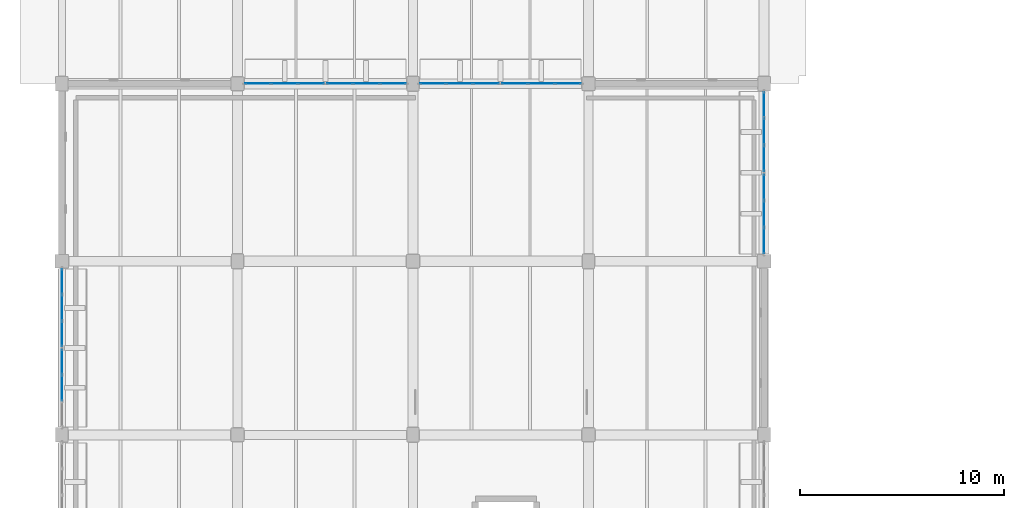
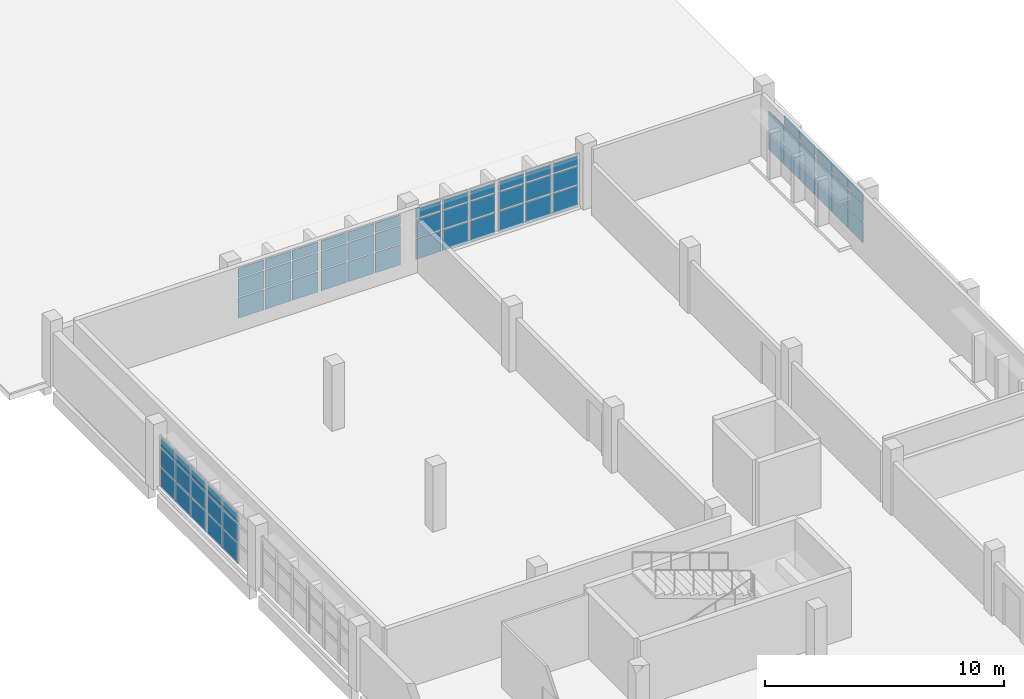
# One storey, part 70 of 93: 68 plates, 8 elements without a shape of their own.
"""IFC4 building model written with IfcOpenShell, lengths in metres."""

from ifc_helpers import new_model, si_unit, direction, frame, origin, origin_2d, place, context, subcontext, project, spatial, rectangle, extrude, material, layer, layer_set, type_object, element, aggregate, save


model = new_model("IFC4")

# Units and contexts
model_context = context("Model", 3, precision=1e-05, world=origin(), true_north=direction((0.0, 1.0)))
body_context = subcontext(model_context, "Body", "Model", "MODEL_VIEW")
ifc_project = project(units=[si_unit("LENGTHUNIT", "METRE"), si_unit("AREAUNIT", "SQUARE_METRE"), si_unit("VOLUMEUNIT", "CUBIC_METRE"), si_unit("PLANEANGLEUNIT", "RADIAN"), si_unit("MASSUNIT", "GRAM", prefix="KILO")], contexts=[model_context])

# Site, building, storey
site_placement = place(None, origin())
site = spatial("IfcSite", under=ifc_project, at=site_placement, CompositionType="ELEMENT")
building_placement = place(site_placement, origin())
building = spatial("IfcBuilding", under=site, at=building_placement, Name="Varnakota Cinema and Media Centre", CompositionType="ELEMENT")
storey_placement = place(building_placement, frame((0.0, 0.0, 12.0)))
storey = spatial("IfcBuildingStorey", under=building, at=storey_placement, Name="L03", CompositionType="ELEMENT", Elevation=12.0)

# Curtain wall, plates
ifc_material_1 = material(Name="Thermally broken anodised aluminium AW-6063", Category="aluminium")
curtain_wall_type_1 = type_object("IfcCurtainWallType", Name="CW-STD-399x264", PredefinedType="USERDEFINED", material=ifc_material_1)
curtain_wall_1_placement = place(storey_placement, origin())
curtain_wall_1 = element("IfcCurtainWall", 1, at=curtain_wall_1_placement, inside=storey, type_object=curtain_wall_type_1, Name="L03 curtain wall CW-L03-V5-E-05-1", ObjectType="UNITISED CURTAIN WALL", PredefinedType="USERDEFINED")
ifc_material_2 = material(Name="Laminated solar-control double glazing", Category="glass")
ifc_layer = layer(ifc_material_2, 0.028076171875)
ifc_layer_set = layer_set([ifc_layer], Name="Laminated solar-control double glazing")
plate_type = type_object("IfcPlateType", Name="CWP-DGU-28", PredefinedType="CURTAIN_PANEL", material=ifc_layer_set)
plate_1_placement = place(storey_placement, frame((34.39990234375, 70.506591796875, 0.06494140625), z_axis=(0.0, 0.0, 1.0), x_axis=(0.0, 1.0, 0.0)))
plate_1 = element("IfcPlate", 2, at=plate_1_placement, type_object=plate_type, Name="CW43 panel 1.1", PredefinedType="CURTAIN_PANEL", context=body_context, shape_type="SweptSolid", body=[
    extrude(rectangle(XDim=1.2333984375, YDim=0.028076171875, at=origin_2d()), origin(), (0.0, 0.0, 1.0), 1.00927734375),
])
plate_2_placement = place(storey_placement, frame((34.39990234375, 70.506591796875, 1.13916015625), z_axis=(0.0, 0.0, 1.0), x_axis=(0.0, 1.0, 0.0)))
plate_2 = element("IfcPlate", 3, at=plate_2_placement, type_object=plate_type, Name="CW43 panel 1.2", PredefinedType="CURTAIN_PANEL", context=body_context, shape_type="SweptSolid", body=[
    extrude(rectangle(XDim=1.2333984375, YDim=0.028076171875, at=origin_2d()), origin(), (0.0, 0.0, 1.0), 0.883544921875),
])
plate_3_placement = place(storey_placement, frame((34.39990234375, 70.506591796875, 2.087890625), z_axis=(0.0, 0.0, 1.0), x_axis=(0.0, 1.0, 0.0)))
plate_3 = element("IfcPlate", 4, at=plate_3_placement, type_object=plate_type, Name="CW43 panel 1.3", PredefinedType="CURTAIN_PANEL", context=body_context, shape_type="SweptSolid", body=[
    extrude(rectangle(XDim=1.2333984375, YDim=0.028076171875, at=origin_2d()), origin(), (0.0, 0.0, 1.0), 0.482177734375),
])
plate_4_placement = place(storey_placement, frame((34.39990234375, 71.8212890625, 0.06494140625), z_axis=(0.0, 0.0, 1.0), x_axis=(0.0, 1.0, 0.0)))
plate_4 = element("IfcPlate", 5, at=plate_4_placement, type_object=plate_type, Name="CW43 panel 2.1", PredefinedType="CURTAIN_PANEL", context=body_context, shape_type="SweptSolid", body=[
    extrude(rectangle(XDim=1.265869140625, YDim=0.028076171875, at=origin_2d()), origin(), (0.0, 0.0, 1.0), 1.00927734375),
])
plate_5_placement = place(storey_placement, frame((34.39990234375, 71.8212890625, 1.13916015625), z_axis=(0.0, 0.0, 1.0), x_axis=(0.0, 1.0, 0.0)))
plate_5 = element("IfcPlate", 6, at=plate_5_placement, type_object=plate_type, Name="CW43 panel 2.2", PredefinedType="CURTAIN_PANEL", context=body_context, shape_type="SweptSolid", body=[
    extrude(rectangle(XDim=1.265869140625, YDim=0.028076171875, at=origin_2d()), origin(), (0.0, 0.0, 1.0), 0.883544921875),
])
plate_6_placement = place(storey_placement, frame((34.39990234375, 71.8212890625, 2.087890625), z_axis=(0.0, 0.0, 1.0), x_axis=(0.0, 1.0, 0.0)))
plate_6 = element("IfcPlate", 7, at=plate_6_placement, type_object=plate_type, Name="CW43 panel 2.3", PredefinedType="CURTAIN_PANEL", context=body_context, shape_type="SweptSolid", body=[
    extrude(rectangle(XDim=1.265869140625, YDim=0.028076171875, at=origin_2d()), origin(), (0.0, 0.0, 1.0), 0.482177734375),
])
plate_7_placement = place(storey_placement, frame((34.39990234375, 73.1357421875, 0.06494140625), z_axis=(0.0, 0.0, 1.0), x_axis=(0.0, 1.0, 0.0)))
plate_7 = element("IfcPlate", 8, at=plate_7_placement, type_object=plate_type, Name="CW43 panel 3.1", PredefinedType="CURTAIN_PANEL", context=body_context, shape_type="SweptSolid", body=[
    extrude(rectangle(XDim=1.2333984375, YDim=0.028076171875, at=origin_2d()), origin(), (0.0, 0.0, 1.0), 1.00927734375),
])
plate_8_placement = place(storey_placement, frame((34.39990234375, 73.1357421875, 1.13916015625), z_axis=(0.0, 0.0, 1.0), x_axis=(0.0, 1.0, 0.0)))
plate_8 = element("IfcPlate", 9, at=plate_8_placement, type_object=plate_type, Name="CW43 panel 3.2", PredefinedType="CURTAIN_PANEL", context=body_context, shape_type="SweptSolid", body=[
    extrude(rectangle(XDim=1.2333984375, YDim=0.028076171875, at=origin_2d()), origin(), (0.0, 0.0, 1.0), 0.883544921875),
])
plate_9_placement = place(storey_placement, frame((34.39990234375, 73.1357421875, 2.087890625), z_axis=(0.0, 0.0, 1.0), x_axis=(0.0, 1.0, 0.0)))
plate_9 = element("IfcPlate", 10, at=plate_9_placement, type_object=plate_type, Name="CW43 panel 3.3", PredefinedType="CURTAIN_PANEL", context=body_context, shape_type="SweptSolid", body=[
    extrude(rectangle(XDim=1.2333984375, YDim=0.028076171875, at=origin_2d()), origin(), (0.0, 0.0, 1.0), 0.482177734375),
])
aggregate(curtain_wall_1, [plate_1, plate_2, plate_3, plate_4, plate_5, plate_6, plate_7, plate_8, plate_9])

curtain_wall_2_placement = place(storey_placement, origin())
curtain_wall_2 = element("IfcCurtainWall", 11, at=curtain_wall_2_placement, inside=storey, type_object=curtain_wall_type_1, Name="L03 curtain wall CW-L03-V5-E-05-2", ObjectType="UNITISED CURTAIN WALL", PredefinedType="USERDEFINED")
plate_10_placement = place(storey_placement, frame((34.39990234375, 74.5390625, 0.06494140625), z_axis=(0.0, 0.0, 1.0), x_axis=(0.0, 1.0, 0.0)))
plate_10 = element("IfcPlate", 12, at=plate_10_placement, type_object=plate_type, Name="CW43 panel 1.1", PredefinedType="CURTAIN_PANEL", context=body_context, shape_type="SweptSolid", body=[
    extrude(rectangle(XDim=1.2333984375, YDim=0.028076171875, at=origin_2d()), origin(), (0.0, 0.0, 1.0), 1.00927734375),
])
plate_11_placement = place(storey_placement, frame((34.39990234375, 74.5390625, 1.13916015625), z_axis=(0.0, 0.0, 1.0), x_axis=(0.0, 1.0, 0.0)))
plate_11 = element("IfcPlate", 13, at=plate_11_placement, type_object=plate_type, Name="CW43 panel 1.2", PredefinedType="CURTAIN_PANEL", context=body_context, shape_type="SweptSolid", body=[
    extrude(rectangle(XDim=1.2333984375, YDim=0.028076171875, at=origin_2d()), origin(), (0.0, 0.0, 1.0), 0.883544921875),
])
plate_12_placement = place(storey_placement, frame((34.39990234375, 74.5390625, 2.087890625), z_axis=(0.0, 0.0, 1.0), x_axis=(0.0, 1.0, 0.0)))
plate_12 = element("IfcPlate", 14, at=plate_12_placement, type_object=plate_type, Name="CW43 panel 1.3", PredefinedType="CURTAIN_PANEL", context=body_context, shape_type="SweptSolid", body=[
    extrude(rectangle(XDim=1.2333984375, YDim=0.028076171875, at=origin_2d()), origin(), (0.0, 0.0, 1.0), 0.482177734375),
])
plate_13_placement = place(storey_placement, frame((34.39990234375, 75.853759765625, 0.06494140625), z_axis=(0.0, 0.0, 1.0), x_axis=(0.0, 1.0, 0.0)))
plate_13 = element("IfcPlate", 15, at=plate_13_placement, type_object=plate_type, Name="CW43 panel 2.1", PredefinedType="CURTAIN_PANEL", context=body_context, shape_type="SweptSolid", body=[
    extrude(rectangle(XDim=1.265869140625, YDim=0.028076171875, at=origin_2d()), origin(), (0.0, 0.0, 1.0), 1.00927734375),
])
plate_14_placement = place(storey_placement, frame((34.39990234375, 75.853759765625, 1.13916015625), z_axis=(0.0, 0.0, 1.0), x_axis=(0.0, 1.0, 0.0)))
plate_14 = element("IfcPlate", 16, at=plate_14_placement, type_object=plate_type, Name="CW43 panel 2.2", PredefinedType="CURTAIN_PANEL", context=body_context, shape_type="SweptSolid", body=[
    extrude(rectangle(XDim=1.265869140625, YDim=0.028076171875, at=origin_2d()), origin(), (0.0, 0.0, 1.0), 0.883544921875),
])
plate_15_placement = place(storey_placement, frame((34.39990234375, 75.853759765625, 2.087890625), z_axis=(0.0, 0.0, 1.0), x_axis=(0.0, 1.0, 0.0)))
plate_15 = element("IfcPlate", 17, at=plate_15_placement, type_object=plate_type, Name="CW43 panel 2.3", PredefinedType="CURTAIN_PANEL", context=body_context, shape_type="SweptSolid", body=[
    extrude(rectangle(XDim=1.265869140625, YDim=0.028076171875, at=origin_2d()), origin(), (0.0, 0.0, 1.0), 0.482177734375),
])
plate_16_placement = place(storey_placement, frame((34.39990234375, 77.168212890625, 0.06494140625), z_axis=(0.0, 0.0, 1.0), x_axis=(0.0, 1.0, 0.0)))
plate_16 = element("IfcPlate", 18, at=plate_16_placement, type_object=plate_type, Name="CW43 panel 3.1", PredefinedType="CURTAIN_PANEL", context=body_context, shape_type="SweptSolid", body=[
    extrude(rectangle(XDim=1.2333984375, YDim=0.028076171875, at=origin_2d()), origin(), (0.0, 0.0, 1.0), 1.00927734375),
])
plate_17_placement = place(storey_placement, frame((34.39990234375, 77.168212890625, 1.13916015625), z_axis=(0.0, 0.0, 1.0), x_axis=(0.0, 1.0, 0.0)))
plate_17 = element("IfcPlate", 19, at=plate_17_placement, type_object=plate_type, Name="CW43 panel 3.2", PredefinedType="CURTAIN_PANEL", context=body_context, shape_type="SweptSolid", body=[
    extrude(rectangle(XDim=1.2333984375, YDim=0.028076171875, at=origin_2d()), origin(), (0.0, 0.0, 1.0), 0.883544921875),
])
aggregate(curtain_wall_2, [plate_10, plate_11, plate_12, plate_13, plate_14, plate_15, plate_16, plate_17])

ifc_material_3 = material(Name="Thermally broken anodised aluminium AW-6063", Category="aluminium")
curtain_wall_type_2 = type_object("IfcCurtainWallType", Name="CW-STD-397x268", PredefinedType="USERDEFINED", material=ifc_material_3)
curtain_wall_3_placement = place(storey_placement, origin())
curtain_wall_3 = element("IfcCurtainWall", 20, at=curtain_wall_3_placement, inside=storey, type_object=curtain_wall_type_2, Name="L03 curtain wall CW-L03-V5-N-02-1", ObjectType="UNITISED CURTAIN WALL", PredefinedType="USERDEFINED")
plate_18_placement = place(storey_placement, frame((9.6025390625, 78.199951171875, 0.06494140625), z_axis=(0.0, 0.0, 1.0), x_axis=(1.0, 0.0, 0.0)))
plate_18 = element("IfcPlate", 21, at=plate_18_placement, type_object=plate_type, Name="CW44 panel 1.1", PredefinedType="CURTAIN_PANEL", context=body_context, shape_type="SweptSolid", body=[
    extrude(rectangle(XDim=1.22509765625, YDim=0.028076171875, at=origin_2d()), origin(), (0.0, 0.0, 1.0), 1.0302734375),
])
plate_19_placement = place(storey_placement, frame((9.6025390625, 78.199951171875, 1.16015625), z_axis=(0.0, 0.0, 1.0), x_axis=(1.0, 0.0, 0.0)))
plate_19 = element("IfcPlate", 22, at=plate_19_placement, type_object=plate_type, Name="CW44 panel 1.2", PredefinedType="CURTAIN_PANEL", context=body_context, shape_type="SweptSolid", body=[
    extrude(rectangle(XDim=1.22509765625, YDim=0.028076171875, at=origin_2d()), origin(), (0.0, 0.0, 1.0), 0.901611328125),
])
plate_20_placement = place(storey_placement, frame((9.6025390625, 78.199951171875, 2.126708984375), z_axis=(0.0, 0.0, 1.0), x_axis=(1.0, 0.0, 0.0)))
plate_20 = element("IfcPlate", 23, at=plate_20_placement, type_object=plate_type, Name="CW44 panel 1.3", PredefinedType="CURTAIN_PANEL", context=body_context, shape_type="SweptSolid", body=[
    extrude(rectangle(XDim=1.22509765625, YDim=0.028076171875, at=origin_2d()), origin(), (0.0, 0.0, 1.0), 0.4931640625),
])
plate_21_placement = place(storey_placement, frame((10.90869140625, 78.199951171875, 0.06494140625), z_axis=(0.0, 0.0, 1.0), x_axis=(1.0, 0.0, 0.0)))
plate_21 = element("IfcPlate", 24, at=plate_21_placement, type_object=plate_type, Name="CW44 panel 2.1", PredefinedType="CURTAIN_PANEL", context=body_context, shape_type="SweptSolid", body=[
    extrude(rectangle(XDim=1.257568359375, YDim=0.028076171875, at=origin_2d()), origin(), (0.0, 0.0, 1.0), 1.0302734375),
])
plate_22_placement = place(storey_placement, frame((10.90869140625, 78.199951171875, 1.16015625), z_axis=(0.0, 0.0, 1.0), x_axis=(1.0, 0.0, 0.0)))
plate_22 = element("IfcPlate", 25, at=plate_22_placement, type_object=plate_type, Name="CW44 panel 2.2", PredefinedType="CURTAIN_PANEL", context=body_context, shape_type="SweptSolid", body=[
    extrude(rectangle(XDim=1.257568359375, YDim=0.028076171875, at=origin_2d()), origin(), (0.0, 0.0, 1.0), 0.901611328125),
])
plate_23_placement = place(storey_placement, frame((10.90869140625, 78.199951171875, 2.126708984375), z_axis=(0.0, 0.0, 1.0), x_axis=(1.0, 0.0, 0.0)))
plate_23 = element("IfcPlate", 26, at=plate_23_placement, type_object=plate_type, Name="CW44 panel 2.3", PredefinedType="CURTAIN_PANEL", context=body_context, shape_type="SweptSolid", body=[
    extrude(rectangle(XDim=1.257568359375, YDim=0.028076171875, at=origin_2d()), origin(), (0.0, 0.0, 1.0), 0.4931640625),
])
plate_24_placement = place(storey_placement, frame((12.215087890625, 78.199951171875, 0.06494140625), z_axis=(0.0, 0.0, 1.0), x_axis=(1.0, 0.0, 0.0)))
plate_24 = element("IfcPlate", 27, at=plate_24_placement, type_object=plate_type, Name="CW44 panel 3.1", PredefinedType="CURTAIN_PANEL", context=body_context, shape_type="SweptSolid", body=[
    extrude(rectangle(XDim=1.22509765625, YDim=0.028076171875, at=origin_2d()), origin(), (0.0, 0.0, 1.0), 1.0302734375),
])
plate_25_placement = place(storey_placement, frame((12.215087890625, 78.199951171875, 1.16015625), z_axis=(0.0, 0.0, 1.0), x_axis=(1.0, 0.0, 0.0)))
plate_25 = element("IfcPlate", 28, at=plate_25_placement, type_object=plate_type, Name="CW44 panel 3.2", PredefinedType="CURTAIN_PANEL", context=body_context, shape_type="SweptSolid", body=[
    extrude(rectangle(XDim=1.22509765625, YDim=0.028076171875, at=origin_2d()), origin(), (0.0, 0.0, 1.0), 0.901611328125),
])
plate_26_placement = place(storey_placement, frame((12.215087890625, 78.199951171875, 2.126708984375), z_axis=(0.0, 0.0, 1.0), x_axis=(1.0, 0.0, 0.0)))
plate_26 = element("IfcPlate", 29, at=plate_26_placement, type_object=plate_type, Name="CW44 panel 3.3", PredefinedType="CURTAIN_PANEL", context=body_context, shape_type="SweptSolid", body=[
    extrude(rectangle(XDim=1.22509765625, YDim=0.028076171875, at=origin_2d()), origin(), (0.0, 0.0, 1.0), 0.4931640625),
])
aggregate(curtain_wall_3, [plate_18, plate_19, plate_20, plate_21, plate_22, plate_23, plate_24, plate_25, plate_26])

curtain_wall_4_placement = place(storey_placement, origin())
curtain_wall_4 = element("IfcCurtainWall", 30, at=curtain_wall_4_placement, inside=storey, type_object=curtain_wall_type_2, Name="L03 curtain wall CW-L03-V5-N-02-2", ObjectType="UNITISED CURTAIN WALL", PredefinedType="USERDEFINED")
plate_27_placement = place(storey_placement, frame((13.610107421875, 78.199951171875, 0.06494140625), z_axis=(0.0, 0.0, 1.0), x_axis=(1.0, 0.0, 0.0)))
plate_27 = element("IfcPlate", 31, at=plate_27_placement, type_object=plate_type, Name="CW44 panel 1.1", PredefinedType="CURTAIN_PANEL", context=body_context, shape_type="SweptSolid", body=[
    extrude(rectangle(XDim=1.22509765625, YDim=0.028076171875, at=origin_2d()), origin(), (0.0, 0.0, 1.0), 1.0302734375),
])
plate_28_placement = place(storey_placement, frame((13.610107421875, 78.199951171875, 1.16015625), z_axis=(0.0, 0.0, 1.0), x_axis=(1.0, 0.0, 0.0)))
plate_28 = element("IfcPlate", 32, at=plate_28_placement, type_object=plate_type, Name="CW44 panel 1.2", PredefinedType="CURTAIN_PANEL", context=body_context, shape_type="SweptSolid", body=[
    extrude(rectangle(XDim=1.22509765625, YDim=0.028076171875, at=origin_2d()), origin(), (0.0, 0.0, 1.0), 0.901611328125),
])
plate_29_placement = place(storey_placement, frame((13.610107421875, 78.199951171875, 2.126708984375), z_axis=(0.0, 0.0, 1.0), x_axis=(1.0, 0.0, 0.0)))
plate_29 = element("IfcPlate", 33, at=plate_29_placement, type_object=plate_type, Name="CW44 panel 1.3", PredefinedType="CURTAIN_PANEL", context=body_context, shape_type="SweptSolid", body=[
    extrude(rectangle(XDim=1.22509765625, YDim=0.028076171875, at=origin_2d()), origin(), (0.0, 0.0, 1.0), 0.4931640625),
])
plate_30_placement = place(storey_placement, frame((14.916259765625, 78.199951171875, 0.06494140625), z_axis=(0.0, 0.0, 1.0), x_axis=(1.0, 0.0, 0.0)))
plate_30 = element("IfcPlate", 34, at=plate_30_placement, type_object=plate_type, Name="CW44 panel 2.1", PredefinedType="CURTAIN_PANEL", context=body_context, shape_type="SweptSolid", body=[
    extrude(rectangle(XDim=1.257568359375, YDim=0.028076171875, at=origin_2d()), origin(), (0.0, 0.0, 1.0), 1.0302734375),
])
plate_31_placement = place(storey_placement, frame((14.916259765625, 78.199951171875, 1.16015625), z_axis=(0.0, 0.0, 1.0), x_axis=(1.0, 0.0, 0.0)))
plate_31 = element("IfcPlate", 35, at=plate_31_placement, type_object=plate_type, Name="CW44 panel 2.2", PredefinedType="CURTAIN_PANEL", context=body_context, shape_type="SweptSolid", body=[
    extrude(rectangle(XDim=1.257568359375, YDim=0.028076171875, at=origin_2d()), origin(), (0.0, 0.0, 1.0), 0.901611328125),
])
plate_32_placement = place(storey_placement, frame((14.916259765625, 78.199951171875, 2.126708984375), z_axis=(0.0, 0.0, 1.0), x_axis=(1.0, 0.0, 0.0)))
plate_32 = element("IfcPlate", 36, at=plate_32_placement, type_object=plate_type, Name="CW44 panel 2.3", PredefinedType="CURTAIN_PANEL", context=body_context, shape_type="SweptSolid", body=[
    extrude(rectangle(XDim=1.257568359375, YDim=0.028076171875, at=origin_2d()), origin(), (0.0, 0.0, 1.0), 0.4931640625),
])
plate_33_placement = place(storey_placement, frame((16.222412109375, 78.199951171875, 0.06494140625), z_axis=(0.0, 0.0, 1.0), x_axis=(1.0, 0.0, 0.0)))
plate_33 = element("IfcPlate", 37, at=plate_33_placement, type_object=plate_type, Name="CW44 panel 3.1", PredefinedType="CURTAIN_PANEL", context=body_context, shape_type="SweptSolid", body=[
    extrude(rectangle(XDim=1.22509765625, YDim=0.028076171875, at=origin_2d()), origin(), (0.0, 0.0, 1.0), 1.0302734375),
])
plate_34_placement = place(storey_placement, frame((16.222412109375, 78.199951171875, 1.16015625), z_axis=(0.0, 0.0, 1.0), x_axis=(1.0, 0.0, 0.0)))
plate_34 = element("IfcPlate", 38, at=plate_34_placement, type_object=plate_type, Name="CW44 panel 3.2", PredefinedType="CURTAIN_PANEL", context=body_context, shape_type="SweptSolid", body=[
    extrude(rectangle(XDim=1.22509765625, YDim=0.028076171875, at=origin_2d()), origin(), (0.0, 0.0, 1.0), 0.901611328125),
])
plate_35_placement = place(storey_placement, frame((16.222412109375, 78.199951171875, 2.126708984375), z_axis=(0.0, 0.0, 1.0), x_axis=(1.0, 0.0, 0.0)))
plate_35 = element("IfcPlate", 39, at=plate_35_placement, type_object=plate_type, Name="CW44 panel 3.3", PredefinedType="CURTAIN_PANEL", context=body_context, shape_type="SweptSolid", body=[
    extrude(rectangle(XDim=1.22509765625, YDim=0.028076171875, at=origin_2d()), origin(), (0.0, 0.0, 1.0), 0.4931640625),
])
aggregate(curtain_wall_4, [plate_27, plate_28, plate_29, plate_30, plate_31, plate_32, plate_33, plate_34, plate_35])

ifc_material_4 = material(Name="Thermally broken anodised aluminium AW-6063", Category="aluminium")
curtain_wall_type_3 = type_object("IfcCurtainWallType", Name="CW-STD-397x274", PredefinedType="USERDEFINED", material=ifc_material_4)
curtain_wall_5_placement = place(storey_placement, origin())
curtain_wall_5 = element("IfcCurtainWall", 40, at=curtain_wall_5_placement, inside=storey, type_object=curtain_wall_type_3, Name="L03 curtain wall CW-L03-V5-N-03-1", ObjectType="UNITISED CURTAIN WALL", PredefinedType="USERDEFINED")
plate_36_placement = place(storey_placement, frame((18.177490234375, 78.199951171875, 0.06494140625), z_axis=(0.0, 0.0, 1.0), x_axis=(1.0, 0.0, 0.0)))
plate_36 = element("IfcPlate", 41, at=plate_36_placement, type_object=plate_type, Name="CW45 panel 1.1", PredefinedType="CURTAIN_PANEL", context=body_context, shape_type="SweptSolid", body=[
    extrude(rectangle(XDim=1.22509765625, YDim=0.028076171875, at=origin_2d()), origin(), (0.0, 0.0, 1.0), 1.05126953125),
])
plate_37_placement = place(storey_placement, frame((18.177490234375, 78.199951171875, 1.18115234375), z_axis=(0.0, 0.0, 1.0), x_axis=(1.0, 0.0, 0.0)))
plate_37 = element("IfcPlate", 42, at=plate_37_placement, type_object=plate_type, Name="CW45 panel 1.2", PredefinedType="CURTAIN_PANEL", context=body_context, shape_type="SweptSolid", body=[
    extrude(rectangle(XDim=1.22509765625, YDim=0.028076171875, at=origin_2d()), origin(), (0.0, 0.0, 1.0), 0.919677734375),
])
plate_38_placement = place(storey_placement, frame((18.177490234375, 78.199951171875, 2.166015625), z_axis=(0.0, 0.0, 1.0), x_axis=(1.0, 0.0, 0.0)))
plate_38 = element("IfcPlate", 43, at=plate_38_placement, type_object=plate_type, Name="CW45 panel 1.3", PredefinedType="CURTAIN_PANEL", context=body_context, shape_type="SweptSolid", body=[
    extrude(rectangle(XDim=1.22509765625, YDim=0.028076171875, at=origin_2d()), origin(), (0.0, 0.0, 1.0), 0.504150390625),
])
plate_39_placement = place(storey_placement, frame((19.483642578125, 78.199951171875, 0.06494140625), z_axis=(0.0, 0.0, 1.0), x_axis=(1.0, 0.0, 0.0)))
plate_39 = element("IfcPlate", 44, at=plate_39_placement, type_object=plate_type, Name="CW45 panel 2.1", PredefinedType="CURTAIN_PANEL", context=body_context, shape_type="SweptSolid", body=[
    extrude(rectangle(XDim=1.257568359375, YDim=0.028076171875, at=origin_2d()), origin(), (0.0, 0.0, 1.0), 1.05126953125),
])
plate_40_placement = place(storey_placement, frame((19.483642578125, 78.199951171875, 1.18115234375), z_axis=(0.0, 0.0, 1.0), x_axis=(1.0, 0.0, 0.0)))
plate_40 = element("IfcPlate", 45, at=plate_40_placement, type_object=plate_type, Name="CW45 panel 2.2", PredefinedType="CURTAIN_PANEL", context=body_context, shape_type="SweptSolid", body=[
    extrude(rectangle(XDim=1.257568359375, YDim=0.028076171875, at=origin_2d()), origin(), (0.0, 0.0, 1.0), 0.919677734375),
])
plate_41_placement = place(storey_placement, frame((19.483642578125, 78.199951171875, 2.166015625), z_axis=(0.0, 0.0, 1.0), x_axis=(1.0, 0.0, 0.0)))
plate_41 = element("IfcPlate", 46, at=plate_41_placement, type_object=plate_type, Name="CW45 panel 2.3", PredefinedType="CURTAIN_PANEL", context=body_context, shape_type="SweptSolid", body=[
    extrude(rectangle(XDim=1.257568359375, YDim=0.028076171875, at=origin_2d()), origin(), (0.0, 0.0, 1.0), 0.504150390625),
])
plate_42_placement = place(storey_placement, frame((20.7900390625, 78.199951171875, 0.06494140625), z_axis=(0.0, 0.0, 1.0), x_axis=(1.0, 0.0, 0.0)))
plate_42 = element("IfcPlate", 47, at=plate_42_placement, type_object=plate_type, Name="CW45 panel 3.1", PredefinedType="CURTAIN_PANEL", context=body_context, shape_type="SweptSolid", body=[
    extrude(rectangle(XDim=1.22509765625, YDim=0.028076171875, at=origin_2d()), origin(), (0.0, 0.0, 1.0), 1.05126953125),
])
plate_43_placement = place(storey_placement, frame((20.7900390625, 78.199951171875, 1.18115234375), z_axis=(0.0, 0.0, 1.0), x_axis=(1.0, 0.0, 0.0)))
plate_43 = element("IfcPlate", 48, at=plate_43_placement, type_object=plate_type, Name="CW45 panel 3.2", PredefinedType="CURTAIN_PANEL", context=body_context, shape_type="SweptSolid", body=[
    extrude(rectangle(XDim=1.22509765625, YDim=0.028076171875, at=origin_2d()), origin(), (0.0, 0.0, 1.0), 0.919677734375),
])
plate_44_placement = place(storey_placement, frame((20.7900390625, 78.199951171875, 2.166015625), z_axis=(0.0, 0.0, 1.0), x_axis=(1.0, 0.0, 0.0)))
plate_44 = element("IfcPlate", 49, at=plate_44_placement, type_object=plate_type, Name="CW45 panel 3.3", PredefinedType="CURTAIN_PANEL", context=body_context, shape_type="SweptSolid", body=[
    extrude(rectangle(XDim=1.22509765625, YDim=0.028076171875, at=origin_2d()), origin(), (0.0, 0.0, 1.0), 0.504150390625),
])
aggregate(curtain_wall_5, [plate_36, plate_37, plate_38, plate_39, plate_40, plate_41, plate_42, plate_43, plate_44])

curtain_wall_6_placement = place(storey_placement, origin())
curtain_wall_6 = element("IfcCurtainWall", 50, at=curtain_wall_6_placement, inside=storey, type_object=curtain_wall_type_3, Name="L03 curtain wall CW-L03-V5-N-03-2", ObjectType="UNITISED CURTAIN WALL", PredefinedType="USERDEFINED")
plate_45_placement = place(storey_placement, frame((22.18505859375, 78.199951171875, 0.06494140625), z_axis=(0.0, 0.0, 1.0), x_axis=(1.0, 0.0, 0.0)))
plate_45 = element("IfcPlate", 51, at=plate_45_placement, type_object=plate_type, Name="CW45 panel 1.1", PredefinedType="CURTAIN_PANEL", context=body_context, shape_type="SweptSolid", body=[
    extrude(rectangle(XDim=1.22509765625, YDim=0.028076171875, at=origin_2d()), origin(), (0.0, 0.0, 1.0), 1.05126953125),
])
plate_46_placement = place(storey_placement, frame((22.18505859375, 78.199951171875, 1.18115234375), z_axis=(0.0, 0.0, 1.0), x_axis=(1.0, 0.0, 0.0)))
plate_46 = element("IfcPlate", 52, at=plate_46_placement, type_object=plate_type, Name="CW45 panel 1.2", PredefinedType="CURTAIN_PANEL", context=body_context, shape_type="SweptSolid", body=[
    extrude(rectangle(XDim=1.22509765625, YDim=0.028076171875, at=origin_2d()), origin(), (0.0, 0.0, 1.0), 0.919677734375),
])
plate_47_placement = place(storey_placement, frame((22.18505859375, 78.199951171875, 2.166015625), z_axis=(0.0, 0.0, 1.0), x_axis=(1.0, 0.0, 0.0)))
plate_47 = element("IfcPlate", 53, at=plate_47_placement, type_object=plate_type, Name="CW45 panel 1.3", PredefinedType="CURTAIN_PANEL", context=body_context, shape_type="SweptSolid", body=[
    extrude(rectangle(XDim=1.22509765625, YDim=0.028076171875, at=origin_2d()), origin(), (0.0, 0.0, 1.0), 0.504150390625),
])
plate_48_placement = place(storey_placement, frame((23.4912109375, 78.199951171875, 0.06494140625), z_axis=(0.0, 0.0, 1.0), x_axis=(1.0, 0.0, 0.0)))
plate_48 = element("IfcPlate", 54, at=plate_48_placement, type_object=plate_type, Name="CW45 panel 2.1", PredefinedType="CURTAIN_PANEL", context=body_context, shape_type="SweptSolid", body=[
    extrude(rectangle(XDim=1.257568359375, YDim=0.028076171875, at=origin_2d()), origin(), (0.0, 0.0, 1.0), 1.05126953125),
])
plate_49_placement = place(storey_placement, frame((23.4912109375, 78.199951171875, 1.18115234375), z_axis=(0.0, 0.0, 1.0), x_axis=(1.0, 0.0, 0.0)))
plate_49 = element("IfcPlate", 55, at=plate_49_placement, type_object=plate_type, Name="CW45 panel 2.2", PredefinedType="CURTAIN_PANEL", context=body_context, shape_type="SweptSolid", body=[
    extrude(rectangle(XDim=1.257568359375, YDim=0.028076171875, at=origin_2d()), origin(), (0.0, 0.0, 1.0), 0.919677734375),
])
plate_50_placement = place(storey_placement, frame((23.4912109375, 78.199951171875, 2.166015625), z_axis=(0.0, 0.0, 1.0), x_axis=(1.0, 0.0, 0.0)))
plate_50 = element("IfcPlate", 56, at=plate_50_placement, type_object=plate_type, Name="CW45 panel 2.3", PredefinedType="CURTAIN_PANEL", context=body_context, shape_type="SweptSolid", body=[
    extrude(rectangle(XDim=1.257568359375, YDim=0.028076171875, at=origin_2d()), origin(), (0.0, 0.0, 1.0), 0.504150390625),
])
plate_51_placement = place(storey_placement, frame((24.797607421875, 78.199951171875, 0.06494140625), z_axis=(0.0, 0.0, 1.0), x_axis=(1.0, 0.0, 0.0)))
plate_51 = element("IfcPlate", 57, at=plate_51_placement, type_object=plate_type, Name="CW45 panel 3.1", PredefinedType="CURTAIN_PANEL", context=body_context, shape_type="SweptSolid", body=[
    extrude(rectangle(XDim=1.22509765625, YDim=0.028076171875, at=origin_2d()), origin(), (0.0, 0.0, 1.0), 1.05126953125),
])
plate_52_placement = place(storey_placement, frame((24.797607421875, 78.199951171875, 1.18115234375), z_axis=(0.0, 0.0, 1.0), x_axis=(1.0, 0.0, 0.0)))
plate_52 = element("IfcPlate", 58, at=plate_52_placement, type_object=plate_type, Name="CW45 panel 3.2", PredefinedType="CURTAIN_PANEL", context=body_context, shape_type="SweptSolid", body=[
    extrude(rectangle(XDim=1.22509765625, YDim=0.028076171875, at=origin_2d()), origin(), (0.0, 0.0, 1.0), 0.919677734375),
])
plate_53_placement = place(storey_placement, frame((24.797607421875, 78.199951171875, 2.166015625), z_axis=(0.0, 0.0, 1.0), x_axis=(1.0, 0.0, 0.0)))
plate_53 = element("IfcPlate", 59, at=plate_53_placement, type_object=plate_type, Name="CW45 panel 3.3", PredefinedType="CURTAIN_PANEL", context=body_context, shape_type="SweptSolid", body=[
    extrude(rectangle(XDim=1.22509765625, YDim=0.028076171875, at=origin_2d()), origin(), (0.0, 0.0, 1.0), 0.504150390625),
])
aggregate(curtain_wall_6, [plate_45, plate_46, plate_47, plate_48, plate_49, plate_50, plate_51, plate_52, plate_53])

ifc_material_5 = material(Name="Thermally broken anodised aluminium AW-6063", Category="aluminium")
curtain_wall_type_4 = type_object("IfcCurtainWallType", Name="CW-STD-389x274", PredefinedType="USERDEFINED", material=ifc_material_5)
curtain_wall_7_placement = place(storey_placement, origin())
curtain_wall_7 = element("IfcCurtainWall", 60, at=curtain_wall_7_placement, inside=storey, type_object=curtain_wall_type_4, Name="L03 curtain wall CW-L03-V5-W-02-1", ObjectType="UNITISED CURTAIN WALL", PredefinedType="USERDEFINED")
plate_54_placement = place(storey_placement, frame((0.0, 68.510009765625, 0.06494140625), z_axis=(0.0, 0.0, 1.0), x_axis=(0.0, -1.0, 0.0)))
plate_54 = element("IfcPlate", 61, at=plate_54_placement, type_object=plate_type, Name="CW46 panel 1.1", PredefinedType="CURTAIN_PANEL", context=body_context, shape_type="SweptSolid", body=[
    extrude(rectangle(XDim=1.199951171875, YDim=0.028076171875, at=origin_2d()), origin(), (0.0, 0.0, 1.0), 1.05126953125),
])
plate_55_placement = place(storey_placement, frame((0.0, 68.510009765625, 1.18115234375), z_axis=(0.0, 0.0, 1.0), x_axis=(0.0, -1.0, 0.0)))
plate_55 = element("IfcPlate", 62, at=plate_55_placement, type_object=plate_type, Name="CW46 panel 1.2", PredefinedType="CURTAIN_PANEL", context=body_context, shape_type="SweptSolid", body=[
    extrude(rectangle(XDim=1.199951171875, YDim=0.028076171875, at=origin_2d()), origin(), (0.0, 0.0, 1.0), 0.919677734375),
])
plate_56_placement = place(storey_placement, frame((0.0, 68.510009765625, 2.166015625), z_axis=(0.0, 0.0, 1.0), x_axis=(0.0, -1.0, 0.0)))
plate_56 = element("IfcPlate", 63, at=plate_56_placement, type_object=plate_type, Name="CW46 panel 1.3", PredefinedType="CURTAIN_PANEL", context=body_context, shape_type="SweptSolid", body=[
    extrude(rectangle(XDim=1.199951171875, YDim=0.028076171875, at=origin_2d()), origin(), (0.0, 0.0, 1.0), 0.504150390625),
])
plate_57_placement = place(storey_placement, frame((0.0, 67.228759765625, 0.06494140625), z_axis=(0.0, 0.0, 1.0), x_axis=(0.0, -1.0, 0.0)))
plate_57 = element("IfcPlate", 64, at=plate_57_placement, type_object=plate_type, Name="CW46 panel 2.1", PredefinedType="CURTAIN_PANEL", context=body_context, shape_type="SweptSolid", body=[
    extrude(rectangle(XDim=1.232421875, YDim=0.028076171875, at=origin_2d()), origin(), (0.0, 0.0, 1.0), 1.05126953125),
])
plate_58_placement = place(storey_placement, frame((0.0, 67.228759765625, 1.18115234375), z_axis=(0.0, 0.0, 1.0), x_axis=(0.0, -1.0, 0.0)))
plate_58 = element("IfcPlate", 65, at=plate_58_placement, type_object=plate_type, Name="CW46 panel 2.2", PredefinedType="CURTAIN_PANEL", context=body_context, shape_type="SweptSolid", body=[
    extrude(rectangle(XDim=1.232421875, YDim=0.028076171875, at=origin_2d()), origin(), (0.0, 0.0, 1.0), 0.919677734375),
])
plate_59_placement = place(storey_placement, frame((0.0, 67.228759765625, 2.166015625), z_axis=(0.0, 0.0, 1.0), x_axis=(0.0, -1.0, 0.0)))
plate_59 = element("IfcPlate", 66, at=plate_59_placement, type_object=plate_type, Name="CW46 panel 2.3", PredefinedType="CURTAIN_PANEL", context=body_context, shape_type="SweptSolid", body=[
    extrude(rectangle(XDim=1.232421875, YDim=0.028076171875, at=origin_2d()), origin(), (0.0, 0.0, 1.0), 0.504150390625),
])
plate_60_placement = place(storey_placement, frame((0.0, 65.947509765625, 0.06494140625), z_axis=(0.0, 0.0, 1.0), x_axis=(0.0, -1.0, 0.0)))
plate_60 = element("IfcPlate", 67, at=plate_60_placement, type_object=plate_type, Name="CW46 panel 3.1", PredefinedType="CURTAIN_PANEL", context=body_context, shape_type="SweptSolid", body=[
    extrude(rectangle(XDim=1.199951171875, YDim=0.028076171875, at=origin_2d()), origin(), (0.0, 0.0, 1.0), 1.05126953125),
])
plate_61_placement = place(storey_placement, frame((0.0, 65.947509765625, 1.18115234375), z_axis=(0.0, 0.0, 1.0), x_axis=(0.0, -1.0, 0.0)))
plate_61 = element("IfcPlate", 68, at=plate_61_placement, type_object=plate_type, Name="CW46 panel 3.2", PredefinedType="CURTAIN_PANEL", context=body_context, shape_type="SweptSolid", body=[
    extrude(rectangle(XDim=1.199951171875, YDim=0.028076171875, at=origin_2d()), origin(), (0.0, 0.0, 1.0), 0.919677734375),
])
plate_62_placement = place(storey_placement, frame((0.0, 65.947509765625, 2.166015625), z_axis=(0.0, 0.0, 1.0), x_axis=(0.0, -1.0, 0.0)))
plate_62 = element("IfcPlate", 69, at=plate_62_placement, type_object=plate_type, Name="CW46 panel 3.3", PredefinedType="CURTAIN_PANEL", context=body_context, shape_type="SweptSolid", body=[
    extrude(rectangle(XDim=1.199951171875, YDim=0.028076171875, at=origin_2d()), origin(), (0.0, 0.0, 1.0), 0.504150390625),
])
aggregate(curtain_wall_7, [plate_54, plate_55, plate_56, plate_57, plate_58, plate_59, plate_60, plate_61, plate_62])

curtain_wall_8_placement = place(storey_placement, origin())
curtain_wall_8 = element("IfcCurtainWall", 70, at=curtain_wall_8_placement, inside=storey, type_object=curtain_wall_type_4, Name="L03 curtain wall CW-L03-V5-W-02-2", ObjectType="UNITISED CURTAIN WALL", PredefinedType="USERDEFINED")
plate_63_placement = place(storey_placement, frame((0.0, 64.577392578125, 0.06494140625), z_axis=(0.0, 0.0, 1.0), x_axis=(0.0, -1.0, 0.0)))
plate_63 = element("IfcPlate", 71, at=plate_63_placement, type_object=plate_type, Name="CW46 panel 1.1", PredefinedType="CURTAIN_PANEL", context=body_context, shape_type="SweptSolid", body=[
    extrude(rectangle(XDim=1.199951171875, YDim=0.028076171875, at=origin_2d()), origin(), (0.0, 0.0, 1.0), 1.05126953125),
])
plate_64_placement = place(storey_placement, frame((0.0, 64.577392578125, 1.18115234375), z_axis=(0.0, 0.0, 1.0), x_axis=(0.0, -1.0, 0.0)))
plate_64 = element("IfcPlate", 72, at=plate_64_placement, type_object=plate_type, Name="CW46 panel 1.2", PredefinedType="CURTAIN_PANEL", context=body_context, shape_type="SweptSolid", body=[
    extrude(rectangle(XDim=1.199951171875, YDim=0.028076171875, at=origin_2d()), origin(), (0.0, 0.0, 1.0), 0.919677734375),
])
plate_65_placement = place(storey_placement, frame((0.0, 64.577392578125, 2.166015625), z_axis=(0.0, 0.0, 1.0), x_axis=(0.0, -1.0, 0.0)))
plate_65 = element("IfcPlate", 73, at=plate_65_placement, type_object=plate_type, Name="CW46 panel 1.3", PredefinedType="CURTAIN_PANEL", context=body_context, shape_type="SweptSolid", body=[
    extrude(rectangle(XDim=1.199951171875, YDim=0.028076171875, at=origin_2d()), origin(), (0.0, 0.0, 1.0), 0.504150390625),
])
plate_66_placement = place(storey_placement, frame((0.0, 63.296142578125, 0.06494140625), z_axis=(0.0, 0.0, 1.0), x_axis=(0.0, -1.0, 0.0)))
plate_66 = element("IfcPlate", 74, at=plate_66_placement, type_object=plate_type, Name="CW46 panel 2.1", PredefinedType="CURTAIN_PANEL", context=body_context, shape_type="SweptSolid", body=[
    extrude(rectangle(XDim=1.232421875, YDim=0.028076171875, at=origin_2d()), origin(), (0.0, 0.0, 1.0), 1.05126953125),
])
plate_67_placement = place(storey_placement, frame((0.0, 63.296142578125, 1.18115234375), z_axis=(0.0, 0.0, 1.0), x_axis=(0.0, -1.0, 0.0)))
plate_67 = element("IfcPlate", 75, at=plate_67_placement, type_object=plate_type, Name="CW46 panel 2.2", PredefinedType="CURTAIN_PANEL", context=body_context, shape_type="SweptSolid", body=[
    extrude(rectangle(XDim=1.232421875, YDim=0.028076171875, at=origin_2d()), origin(), (0.0, 0.0, 1.0), 0.919677734375),
])
plate_68_placement = place(storey_placement, frame((0.0, 63.296142578125, 2.166015625), z_axis=(0.0, 0.0, 1.0), x_axis=(0.0, -1.0, 0.0)))
plate_68 = element("IfcPlate", 76, at=plate_68_placement, type_object=plate_type, Name="CW46 panel 2.3", PredefinedType="CURTAIN_PANEL", context=body_context, shape_type="SweptSolid", body=[
    extrude(rectangle(XDim=1.232421875, YDim=0.028076171875, at=origin_2d()), origin(), (0.0, 0.0, 1.0), 0.504150390625),
])
aggregate(curtain_wall_8, [plate_63, plate_64, plate_65, plate_66, plate_67, plate_68])

save(model, "model.ifc")
